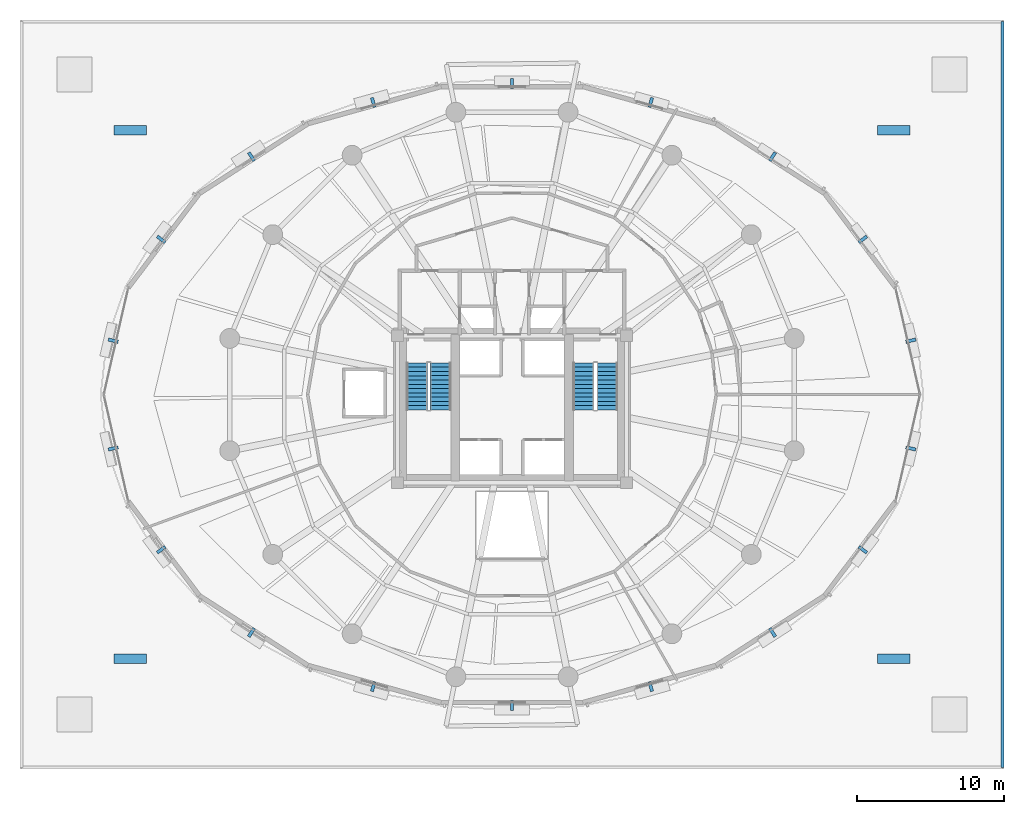
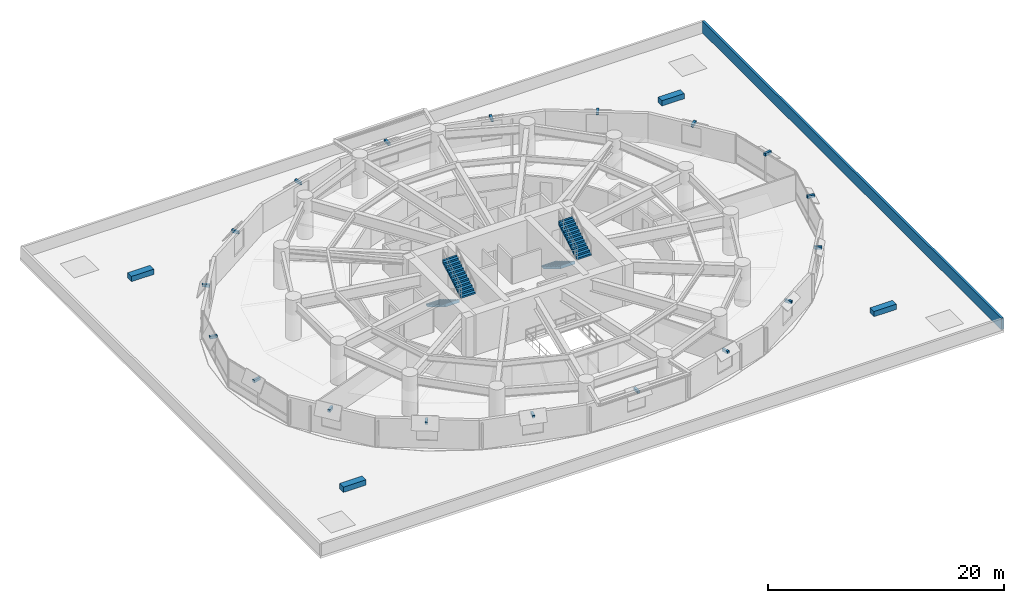
# One storey, part 12 of 15: 22 discrete accessories, 4 stair flights, 1 wall, 2 elements without a shape of their own.
"""IFC4 building model written with IfcOpenShell, lengths in metres."""

import ifcopenshell
import ifcopenshell.guid

model = None  # the IFC model being written
_history = None  # IfcOwnerHistory: only IFC2X3 demands one
_inside = {}  # id of a spatial element -> (the spatial element, [elements in it])
_under = {}  # id of a project, library or spatial element -> (it, [spatial elements below it])
_declared = {}  # id of a project -> (the project, [libraries it declares])
_typed = {}  # id of a type object -> (the type object, [elements of that type])
_made_of = {}  # id of a material, layer set ... -> (it, [elements and type objects made of it])


def new_model(schema):
    """Start an empty IFC model of exactly this schema.

    Asked for "IFC4X3", IfcOpenShell would pick the latest addendum, in which some entities
    have other attributes; the version numbers below select the first issue.
    IFC2X3 requires an IfcOwnerHistory on every rooted entity: one is made here for all.
    """
    global model, _history
    if schema == "IFC4X3":
        model = ifcopenshell.file(schema_version=(4, 3, 0, 0))
    else:
        model = ifcopenshell.file(schema=schema)
    _inside.clear()
    _under.clear()
    _declared.clear()
    _typed.clear()
    _made_of.clear()
    _history = None
    if model.schema == "IFC2X3":
        org = make("IfcOrganization", Name="unknown")
        user = make(
            "IfcPersonAndOrganization",
            ThePerson=make("IfcPerson", FamilyName="unknown"),
            TheOrganization=org,
        )
        app = make(
            "IfcApplication",
            ApplicationDeveloper=org,
            Version="unknown",
            ApplicationFullName="unknown",
            ApplicationIdentifier="unknown",
        )
        _history = make(
            "IfcOwnerHistory",
            OwningUser=user,
            OwningApplication=app,
            ChangeAction="ADDED",
            CreationDate=0,
        )
    return model


def make(cls, **values):
    """One entity of the class cls with the attributes given. An attribute that is None is left unset."""
    return model.create_entity(
        cls, **{name: value for name, value in values.items() if value is not None}
    )


def rooted(cls, **values):
    """An entity with a GlobalId (a new one), such as an element, a storey or a relation."""
    return make(cls, GlobalId=ifcopenshell.guid.new(), OwnerHistory=_history, **values)


def si_unit(unit_type, name, prefix=None):
    """IfcSIUnit, for example si_unit("LENGTHUNIT", "METRE", prefix="MILLI")."""
    return make("IfcSIUnit", UnitType=unit_type, Prefix=prefix, Name=name)


def assignment(units):
    """IfcUnitAssignment: the units of a project."""
    return None if units is None else make("IfcUnitAssignment", Units=units)


def point(xyz):
    """IfcCartesianPoint."""
    return None if xyz is None else make("IfcCartesianPoint", Coordinates=xyz)


def direction(xyz):
    """IfcDirection."""
    return None if xyz is None else make("IfcDirection", DirectionRatios=xyz)


def frame(location, z_axis=None, x_axis=None):
    """IfcAxis2Placement3D, a coordinate frame: its origin and axes. An axis left out is left unset."""
    return make(
        "IfcAxis2Placement3D",
        Location=point(location),
        Axis=direction(z_axis),
        RefDirection=direction(x_axis),
    )


def frame_2d(location, x_axis=None):
    """IfcAxis2Placement2D, a coordinate frame in the plane: its origin and x axis."""
    return make(
        "IfcAxis2Placement2D", Location=point(location), RefDirection=direction(x_axis)
    )


def origin():
    """The frame at (0, 0, 0) with its axes left unset."""
    return frame((0.0, 0.0, 0.0))


def origin_2d():
    """The frame at (0, 0) in the plane with its x axis left unset."""
    return frame_2d((0.0, 0.0))


def place(relative_to, where):
    """IfcLocalPlacement: puts the frame where relative to a parent placement (None: the world)."""
    return make(
        "IfcLocalPlacement", PlacementRelTo=relative_to, RelativePlacement=where
    )


def context(
    kind, dimensions, precision=None, world=None, true_north=None, identifier=None
):
    """IfcGeometricRepresentationContext, for example the 3D "Model" context."""
    return make(
        "IfcGeometricRepresentationContext",
        ContextIdentifier=identifier,
        ContextType=kind,
        CoordinateSpaceDimension=dimensions,
        Precision=precision,
        WorldCoordinateSystem=world,
        TrueNorth=true_north,
    )


def subcontext(parent, identifier, kind, view, scale=None):
    """IfcGeometricRepresentationSubContext, for example "Body" below "Model"."""
    return make(
        "IfcGeometricRepresentationSubContext",
        ContextIdentifier=identifier,
        ContextType=kind,
        ParentContext=parent,
        TargetScale=scale,
        TargetView=view,
    )


def project(units=None, contexts=None):
    """IfcProject with its units and contexts."""
    return rooted(
        "IfcProject",
        Name="project",
        RepresentationContexts=contexts,
        UnitsInContext=assignment(units),
    )


def spatial(cls, under=None, at=None, **own):
    """A site, building, storey or space (cls), placed at a placement, below another one or the project."""
    s = rooted(cls, ObjectPlacement=at, **own)
    if under is not None:
        _under.setdefault(under.id(), (under, []))[1].append(s)
    return s


def polyline(points):
    """IfcPolyline through the points."""
    return make("IfcPolyline", Points=[point(p) for p in points])


def profile(cls, at=None, kind="AREA", **sizes):
    """A parametric profile (cls). Its sizes go by their IFC names, for example OverallWidth=200.0."""
    return make(cls, ProfileType=kind, Position=at, **sizes)


def rectangle(**sizes):
    """IfcRectangleProfileDef."""
    return profile("IfcRectangleProfileDef", **sizes)


def outline(outer, holes=None, kind="AREA"):
    """IfcArbitraryClosedProfileDef: a profile drawn as a closed curve; with holes, ...WithVoids."""
    if holes is None:
        return make("IfcArbitraryClosedProfileDef", ProfileType=kind, OuterCurve=outer)
    return make(
        "IfcArbitraryProfileDefWithVoids",
        ProfileType=kind,
        OuterCurve=outer,
        InnerCurves=holes,
    )


def extrude(swept, where, along, depth):
    """IfcExtrudedAreaSolid: the profile swept, set in the frame where, extruded along a direction by depth."""
    return make(
        "IfcExtrudedAreaSolid",
        SweptArea=swept,
        Position=where,
        ExtrudedDirection=direction(along),
        Depth=depth,
    )


def shape(context_of_items, identifier, shape_type, items):
    """IfcShapeRepresentation: the items that make up one representation, for example the "Body"."""
    return make(
        "IfcShapeRepresentation",
        ContextOfItems=context_of_items,
        RepresentationIdentifier=identifier,
        RepresentationType=shape_type,
        Items=items,
    )


def material(Name=None, Category=None):
    """IfcMaterial."""
    return make("IfcMaterial", Name=Name, Category=Category)


def layer(
    of_material, thickness, ventilated=None, Name=None, Category=None, Priority=None
):
    """IfcMaterialLayer: one layer of a wall or slab, of a material (None: an air gap)."""
    return make(
        "IfcMaterialLayer",
        Material=of_material,
        LayerThickness=thickness,
        IsVentilated=ventilated,
        Name=Name,
        Category=Category,
        Priority=Priority,
    )


def layer_set(layers, Name=None):
    """IfcMaterialLayerSet."""
    return make("IfcMaterialLayerSet", MaterialLayers=layers, LayerSetName=Name)


def made_of(thing, what):
    """Note that an element or type object is made of a material, layer set ...; save() writes the relation."""
    if what is not None:
        _made_of.setdefault(what.id(), (what, []))[1].append(thing)
    return thing


def type_object(cls, material=None, **own):
    """A type object (cls), such as IfcWallType, which elements share."""
    return made_of(rooted(cls, **own), material)


def element(
    cls,
    number,
    at=None,
    inside=None,
    cuts=None,
    type_object=None,
    material=None,
    context=None,
    identifier="Body",
    shape_type=None,
    held_by="IfcProductDefinitionShape",
    body=None,
    shapes=None,
    **own,
):
    """One element of the class cls, such as IfcWall. Its Tag is "e" and its number.

    at: its placement. inside: the storey or other place that contains it. cuts: it is an
    opening in that element (IfcRelVoidsElement). A single representation is given by context,
    identifier, shape_type and body (its items); several are given by shapes. held_by: the class
    of the entity that holds the representations. save() writes the other relations.
    """
    e = rooted(cls, Tag="e%d" % number, ObjectPlacement=at, **own)
    if body is not None:
        shapes = [shape(context, identifier, shape_type, body)]
    if shapes is not None:
        e.Representation = make(held_by, Representations=shapes)
    if inside is not None:
        _inside.setdefault(inside.id(), (inside, []))[1].append(e)
    if cuts is not None:
        rooted(
            "IfcRelVoidsElement", RelatingBuildingElement=cuts, RelatedOpeningElement=e
        )
    if type_object is not None:
        _typed.setdefault(type_object.id(), (type_object, []))[1].append(e)
    return made_of(e, material)


def aggregate(whole, parts):
    """IfcRelAggregates: a whole, such as a stair, and the parts it consists of."""
    return rooted("IfcRelAggregates", RelatingObject=whole, RelatedObjects=parts)


def save(model, path):
    """Write the relations noted so far, then the file.

    IfcRelAggregates (storeys below a building ...), IfcRelContainedInSpatialStructure (elements
    in a storey), IfcRelDefinesByType, IfcRelAssociatesMaterial and IfcRelDeclares: one each for
    every whole, place, type object, material and project.
    """
    for whole, parts in _under.values():
        aggregate(whole, parts)
    for where, things in _inside.values():
        rooted(
            "IfcRelContainedInSpatialStructure",
            RelatedElements=things,
            RelatingStructure=where,
        )
    for kind, things in _typed.values():
        rooted("IfcRelDefinesByType", RelatedObjects=things, RelatingType=kind)
    for what, things in _made_of.values():
        rooted("IfcRelAssociatesMaterial", RelatedObjects=things, RelatingMaterial=what)
    for by, libraries in _declared.values():
        rooted("IfcRelDeclares", RelatingContext=by, RelatedDefinitions=libraries)
    model.write(path)


model = new_model("IFC4")

# Units and contexts
model_context = context("Model", 3, precision=1e-05, world=origin(), true_north=direction((0.0, 1.0)))
body_context = subcontext(model_context, "Body", "Model", "MODEL_VIEW")
ifc_project = project(units=[si_unit("LENGTHUNIT", "METRE"), si_unit("AREAUNIT", "SQUARE_METRE"), si_unit("VOLUMEUNIT", "CUBIC_METRE"), si_unit("PLANEANGLEUNIT", "RADIAN"), si_unit("MASSUNIT", "GRAM", prefix="KILO"), si_unit("THERMODYNAMICTEMPERATUREUNIT", "KELVIN"), si_unit("POWERUNIT", "WATT")], contexts=[model_context])

# Site, building, storey
site_placement = place(None, origin())
site = spatial("IfcSite", under=ifc_project, at=site_placement, CompositionType="ELEMENT")
building_placement = place(site_placement, origin())
building = spatial("IfcBuilding", under=site, at=building_placement, Name="Ocrelia Relay Tower", CompositionType="ELEMENT")
storey_placement = place(building_placement, frame((0.0, 0.0, 30.0)))
storey = spatial("IfcBuildingStorey", under=building, at=storey_placement, Name="L06", CompositionType="ELEMENT", Elevation=30.0)

# Wall
ifc_material_1 = material(Name="Precast concrete C40/50 with oxide terracotta", Category="masonry")
ifc_layer = layer(ifc_material_1, 0.219970703125, Name="Precast concrete C40/50 with oxide terracotta")
ifc_layer_set = layer_set([ifc_layer], Name="Precast concrete C40/50 with oxide terracotta")
wall_type = type_object("IfcWallType", Name="W-PARAPET-220", PredefinedType="PARAPET", material=ifc_layer_set)
wall_placement = place(storey_placement, frame((67.39990234375, 0.60009765625, 0.0), z_axis=(0.0, 0.0, 1.0), x_axis=(0.0, 1.0, 0.0)))
element("IfcWall", 1, at=wall_placement, inside=storey, type_object=wall_type, Name="Podium Roof Terrace Parapet E", PredefinedType="PARAPET", context=body_context, shape_type="SweptSolid", body=[
    extrude(rectangle(XDim=50.7998046875, YDim=0.219970703125, at=frame_2d((25.39990234375, 0.0))), origin(), (0.0, 0.0, 1.0), 1.199951171875),
])

# Stair, stair flights
ifc_material_2 = material(Name="Concrete C50/60", Category="concrete")
stair_type = type_object("IfcStairType", Name="ST-DL-1420-R175", PredefinedType="HALF_TURN_STAIR", material=ifc_material_2)
stair_1_placement = place(storey_placement, origin())
stair_1 = element("IfcStair", 2, at=stair_1_placement, inside=storey, type_object=stair_type, Name="L06 West Core Exit Stair ST1", PredefinedType="HALF_TURN_STAIR")
stair_flight_type = type_object("IfcStairFlightType", Name="STF-DL-1420-R175", PredefinedType="STRAIGHT", material=ifc_material_2)
stair_flight_1_placement = place(storey_placement, frame((27.52001953125, 28.14990234375, 0.0), z_axis=(0.0, 0.0, 1.0), x_axis=(0.0, -1.0, 0.0)))
stair_flight_1 = element("IfcStairFlight", 3, at=stair_flight_1_placement, type_object=stair_flight_type, Name="ST1 flight 1", NumberOfRisers=12, NumberOfTreads=11, PredefinedType="STRAIGHT", RiserHeight=0.175, TreadLength=0.29, context=body_context, shape_type="SweptSolid", body=[
    extrude(outline(polyline([(-0.008056640625, 0.0), (-0.008056640625, 0.175048828125), (0.0, 0.175048828125), (0.2900390625, 0.175048828125), (0.2900390625, 0.35009765625), (0.580078125, 0.35009765625), (0.580078125, 0.52490234375), (0.8701171875, 0.52490234375), (0.8701171875, 0.699951171875), (1.159912109375, 0.699951171875), (1.159912109375, 0.875), (1.449951171875, 0.875), (1.449951171875, 1.050048828125), (1.739990234375, 1.050048828125), (1.739990234375, 1.22509765625), (2.030029296875, 1.22509765625), (2.030029296875, 1.39990234375), (2.320068359375, 1.39990234375), (2.320068359375, 1.574951171875), (2.610107421875, 1.574951171875), (2.610107421875, 1.75), (2.89990234375, 1.75), (2.89990234375, 1.925048828125), (3.18994140625, 1.925048828125), (3.18994140625, 2.10009765625), (3.197998046875, 2.10009765625), (3.197998046875, 1.75), (0.2900390625, 0.0), (-0.008056640625, 0.0)])), frame((0.0, 0.7099609375, 0.0), z_axis=(0.0, -1.0, 0.0), x_axis=(1.0, 0.0, 0.0)), (0.0, 0.0, 1.0), 1.419921875),
])
stair_flight_2_placement = place(storey_placement, frame((29.139892578125, 24.9599609375, 2.10009765625), z_axis=(0.0, 0.0, 1.0), x_axis=(0.0, 1.0, 0.0)))
stair_flight_2 = element("IfcStairFlight", 4, at=stair_flight_2_placement, type_object=stair_flight_type, Name="ST1 flight 2", NumberOfRisers=12, NumberOfTreads=11, PredefinedType="STRAIGHT", RiserHeight=0.175, TreadLength=0.29, context=body_context, shape_type="SweptSolid", body=[
    extrude(outline(polyline([(-0.008056640625, 0.0), (-0.008056640625, 0.175048828125), (0.0, 0.175048828125), (0.2900390625, 0.175048828125), (0.2900390625, 0.35009765625), (0.580078125, 0.35009765625), (0.580078125, 0.52490234375), (0.8701171875, 0.52490234375), (0.8701171875, 0.699951171875), (1.159912109375, 0.699951171875), (1.159912109375, 0.875), (1.449951171875, 0.875), (1.449951171875, 1.050048828125), (1.739990234375, 1.050048828125), (1.739990234375, 1.22509765625), (2.030029296875, 1.22509765625), (2.030029296875, 1.39990234375), (2.320068359375, 1.39990234375), (2.320068359375, 1.574951171875), (2.610107421875, 1.574951171875), (2.610107421875, 1.75), (2.89990234375, 1.75), (2.89990234375, 1.925048828125), (3.18994140625, 1.925048828125), (3.18994140625, 2.10009765625), (3.197998046875, 2.10009765625), (3.197998046875, 1.75), (0.2900390625, 0.0), (-0.008056640625, 0.0)])), frame((0.0, 0.7099609375, 0.0), z_axis=(0.0, -1.0, 0.0), x_axis=(1.0, 0.0, 0.0)), (0.0, 0.0, 1.0), 1.419921875),
])
aggregate(stair_1, [stair_flight_1, stair_flight_2])

stair_2_placement = place(storey_placement, origin())
stair_2 = element("IfcStair", 5, at=stair_2_placement, inside=storey, type_object=stair_type, Name="L06 East Core Exit Stair ST2", PredefinedType="HALF_TURN_STAIR")
stair_flight_3_placement = place(storey_placement, frame((38.8701171875, 28.14990234375, 0.0), z_axis=(0.0, 0.0, 1.0), x_axis=(0.0, -1.0, 0.0)))
stair_flight_3 = element("IfcStairFlight", 6, at=stair_flight_3_placement, type_object=stair_flight_type, Name="ST2 flight 1", NumberOfRisers=12, NumberOfTreads=11, PredefinedType="STRAIGHT", RiserHeight=0.175, TreadLength=0.29, context=body_context, shape_type="SweptSolid", body=[
    extrude(outline(polyline([(-0.008056640625, 0.0), (-0.008056640625, 0.175048828125), (0.0, 0.175048828125), (0.2900390625, 0.175048828125), (0.2900390625, 0.35009765625), (0.580078125, 0.35009765625), (0.580078125, 0.52490234375), (0.8701171875, 0.52490234375), (0.8701171875, 0.699951171875), (1.159912109375, 0.699951171875), (1.159912109375, 0.875), (1.449951171875, 0.875), (1.449951171875, 1.050048828125), (1.739990234375, 1.050048828125), (1.739990234375, 1.22509765625), (2.030029296875, 1.22509765625), (2.030029296875, 1.39990234375), (2.320068359375, 1.39990234375), (2.320068359375, 1.574951171875), (2.610107421875, 1.574951171875), (2.610107421875, 1.75), (2.89990234375, 1.75), (2.89990234375, 1.925048828125), (3.18994140625, 1.925048828125), (3.18994140625, 2.10009765625), (3.197998046875, 2.10009765625), (3.197998046875, 1.75), (0.2900390625, 0.0), (-0.008056640625, 0.0)])), frame((0.0, 0.7099609375, 0.0), z_axis=(0.0, -1.0, 0.0), x_axis=(1.0, 0.0, 0.0)), (0.0, 0.0, 1.0), 1.419921875),
])
stair_flight_4_placement = place(storey_placement, frame((40.489990234375, 24.9599609375, 2.10009765625), z_axis=(0.0, 0.0, 1.0), x_axis=(0.0, 1.0, 0.0)))
stair_flight_4 = element("IfcStairFlight", 7, at=stair_flight_4_placement, type_object=stair_flight_type, Name="ST2 flight 2", NumberOfRisers=12, NumberOfTreads=11, PredefinedType="STRAIGHT", RiserHeight=0.175, TreadLength=0.29, context=body_context, shape_type="SweptSolid", body=[
    extrude(outline(polyline([(-0.008056640625, 0.0), (-0.008056640625, 0.175048828125), (0.0, 0.175048828125), (0.2900390625, 0.175048828125), (0.2900390625, 0.35009765625), (0.580078125, 0.35009765625), (0.580078125, 0.52490234375), (0.8701171875, 0.52490234375), (0.8701171875, 0.699951171875), (1.159912109375, 0.699951171875), (1.159912109375, 0.875), (1.449951171875, 0.875), (1.449951171875, 1.050048828125), (1.739990234375, 1.050048828125), (1.739990234375, 1.22509765625), (2.030029296875, 1.22509765625), (2.030029296875, 1.39990234375), (2.320068359375, 1.39990234375), (2.320068359375, 1.574951171875), (2.610107421875, 1.574951171875), (2.610107421875, 1.75), (2.89990234375, 1.75), (2.89990234375, 1.925048828125), (3.18994140625, 1.925048828125), (3.18994140625, 2.10009765625), (3.197998046875, 2.10009765625), (3.197998046875, 1.75), (0.2900390625, 0.0), (-0.008056640625, 0.0)])), frame((0.0, 0.7099609375, 0.0), z_axis=(0.0, -1.0, 0.0), x_axis=(1.0, 0.0, 0.0)), (0.0, 0.0, 1.0), 1.419921875),
])
aggregate(stair_2, [stair_flight_3, stair_flight_4])

# Discrete accessories
ifc_material_3 = material(Name="Precast concrete C40/50 planter with highland greenery", Category="concrete")
discrete_accessory_type_1 = type_object("IfcDiscreteAccessoryType", Name="ACC-BALC-PLANTER", PredefinedType="USERDEFINED", material=ifc_material_3)
for number, where, z_axis, x_axis, name in (
    (8, (8.0, 8.0, 0.0), (0.0, 0.0, 1.0), (1.0, 0.0, 0.0), "Podium Roof Garden Terracotta Planter 1"),
    (9, (60.0, 8.0, 0.0), (0.0, 0.0, 1.0), (1.0, 0.0, 0.0), "Podium Roof Garden Terracotta Planter 2"),
    (10, (8.0, 44.0, 0.0), (0.0, 0.0, 1.0), (1.0, 0.0, 0.0), "Podium Roof Garden Terracotta Planter 3"),
    (11, (60.0, 44.0, 0.0), (0.0, 0.0, 1.0), (1.0, 0.0, 0.0), "Podium Roof Garden Terracotta Planter 4"),
):
    element("IfcDiscreteAccessory", number, at=place(storey_placement, frame(where, z_axis=z_axis, x_axis=x_axis)), inside=storey, type_object=discrete_accessory_type_1, Name=name, ObjectType="PLANTER", PredefinedType="USERDEFINED", context=body_context, shape_type="SweptSolid", body=[
        extrude(rectangle(XDim=2.199951171875, YDim=0.64990234375, at=origin_2d()), origin(), (0.0, 0.0, 1.0), 0.550048828125),
    ])
ifc_material_4 = material(Name="Steel S355", Category="steel")
discrete_accessory_type_2 = type_object("IfcDiscreteAccessoryType", Name="ACC-VISOR-BRACKET", PredefinedType="BRACKET", material=ifc_material_4)
for number, where, z_axis, x_axis, name in (
    (12, (61.159912109375, 29.669189453125, 2.7001953125), (0.0, 0.0, 1.0), (-0.224268389459, 0.974527418542, 0.0), "L06 Visor Mounting Bracket 01"),
    (13, (57.892578125, 36.569091796875, 2.7001953125), (0.0, 0.0, 1.0), (-0.601809563303, 0.79863962431, 0.0), "L06 Visor Mounting Bracket 02"),
    (14, (51.74560546875, 42.20361328125, 2.7001953125), (0.0, 0.0, 1.0), (-0.841161476755, 0.5407840327, 0.0), "L06 Visor Mounting Bracket 03"),
    (15, (43.449462890625, 45.89208984375, 2.7001953125), (0.0, 0.0, 1.0), (-0.963245444504, 0.268622809238, 0.0), "L06 Visor Mounting Bracket 04"),
    (16, (34.0, 47.176513671875, 2.7001953125), (0.0, 0.0, 1.0), (-1.0, 0.0, 0.0), "L06 Visor Mounting Bracket 05"),
    (17, (24.550537109375, 45.89208984375, 2.7001953125), (0.0, 0.0, 1.0), (-0.963245444504, -0.268622809238, 0.0), "L06 Visor Mounting Bracket 06"),
    (18, (16.25439453125, 42.20361328125, 2.7001953125), (0.0, 0.0, 1.0), (-0.841161476755, -0.5407840327, 0.0), "L06 Visor Mounting Bracket 07"),
    (19, (10.107421875, 36.569091796875, 2.7001953125), (0.0, 0.0, 1.0), (-0.601809563303, -0.79863962431, 0.0), "L06 Visor Mounting Bracket 08"),
    (20, (6.840087890625, 29.669189453125, 2.7001953125), (0.0, 0.0, 1.0), (-0.224268389459, -0.974527418542, 0.0), "L06 Visor Mounting Bracket 09"),
    (21, (6.840087890625, 22.330810546875, 2.7001953125), (0.0, 0.0, 1.0), (0.224268389459, -0.974527418542, 0.0), "L06 Visor Mounting Bracket 10"),
    (22, (10.107421875, 15.430908203125, 2.7001953125), (0.0, 0.0, 1.0), (0.601809563303, -0.79863962431, 0.0), "L06 Visor Mounting Bracket 11"),
    (23, (16.25439453125, 9.79638671875, 2.7001953125), (0.0, 0.0, 1.0), (0.841161476755, -0.5407840327, 0.0), "L06 Visor Mounting Bracket 12"),
    (24, (24.550537109375, 6.10791015625, 2.7001953125), (0.0, 0.0, 1.0), (0.963245444504, -0.268622809238, 0.0), "L06 Visor Mounting Bracket 13"),
    (25, (34.0, 4.823486328125, 2.7001953125), (0.0, 0.0, 1.0), (1.0, 0.0, 0.0), "L06 Visor Mounting Bracket 14"),
    (26, (43.449462890625, 6.10791015625, 2.7001953125), (0.0, 0.0, 1.0), (0.963245444504, 0.268622809238, 0.0), "L06 Visor Mounting Bracket 15"),
    (27, (51.74560546875, 9.79638671875, 2.7001953125), (0.0, 0.0, 1.0), (0.841161476755, 0.5407840327, 0.0), "L06 Visor Mounting Bracket 16"),
    (28, (57.892578125, 15.430908203125, 2.7001953125), (0.0, 0.0, 1.0), (0.601809563303, 0.79863962431, 0.0), "L06 Visor Mounting Bracket 17"),
    (29, (61.159912109375, 22.330810546875, 2.7001953125), (0.0, 0.0, 1.0), (0.224268389459, 0.974527418542, 0.0), "L06 Visor Mounting Bracket 18"),
):
    element("IfcDiscreteAccessory", number, at=place(storey_placement, frame(where, z_axis=z_axis, x_axis=x_axis)), inside=storey, type_object=discrete_accessory_type_2, Name=name, PredefinedType="BRACKET", context=body_context, shape_type="SweptSolid", body=[
        extrude(rectangle(XDim=0.219970703125, YDim=0.679931640625, at=origin_2d()), origin(), (0.0, 0.0, 1.0), 0.280029296875),
    ])

save(model, "model.ifc")
